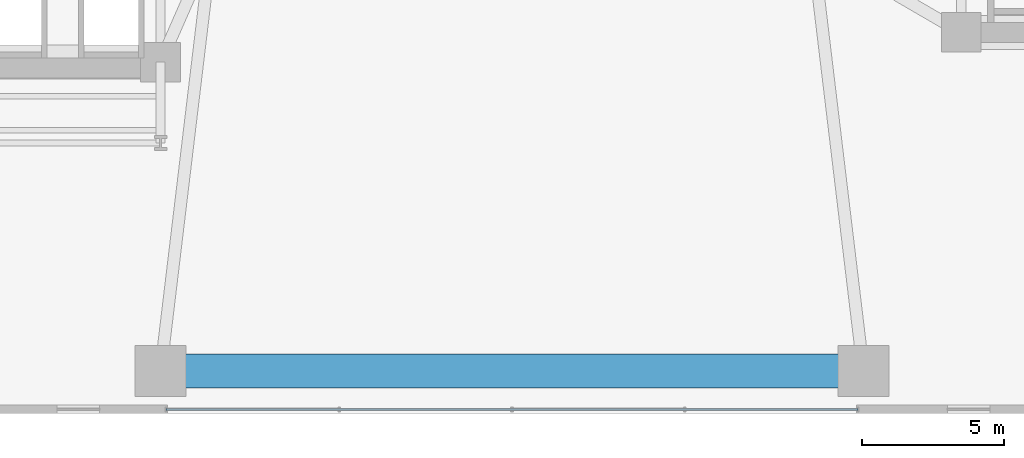
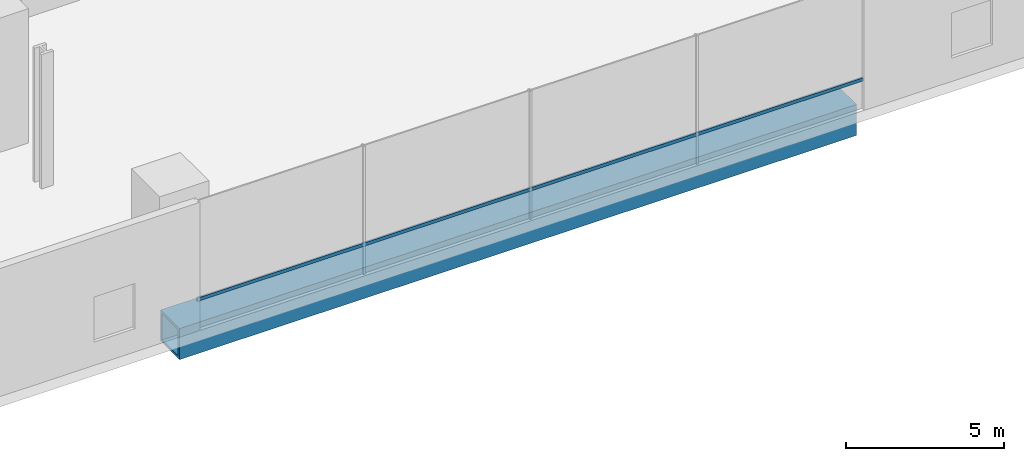
# One storey, part 9 of 41: 1 beam, 1 member, 1 element without a shape of its own.
"""IFC4 building model written with IfcOpenShell, lengths in metres."""

from ifc_helpers import new_model, si_unit, direction, frame, origin, origin_2d, place, context, subcontext, project, spatial, hollow_rectangle, extrude, source, transform, mapped, material, material_profile, profile_set, type_object, element, aggregate, save


model = new_model("IFC4")

# Units and contexts
model_context = context("Model", 3, precision=1e-05, world=origin(), true_north=direction((0.0, 1.0)))
body_context = subcontext(model_context, "Body", "Model", "MODEL_VIEW")
ifc_project = project(units=[si_unit("LENGTHUNIT", "METRE"), si_unit("AREAUNIT", "SQUARE_METRE"), si_unit("VOLUMEUNIT", "CUBIC_METRE"), si_unit("PLANEANGLEUNIT", "RADIAN"), si_unit("MASSUNIT", "GRAM", prefix="KILO")], contexts=[model_context])

# Site, building, storey
site_placement = place(None, origin())
site = spatial("IfcSite", under=ifc_project, at=site_placement, CompositionType="ELEMENT")
building_placement = place(site_placement, origin())
building = spatial("IfcBuilding", under=site, at=building_placement, Name="Valdorenza Pilgrim Sanctuary Tower", CompositionType="ELEMENT")
storey_placement = place(building_placement, frame((0.0, 0.0, 20.800048828125)))
storey = spatial("IfcBuildingStorey", under=building, at=storey_placement, Name="L04", CompositionType="ELEMENT", Elevation=20.800048828125)

# Beam
ifc_material_1 = material(Name="Steel ASTM A572 Grade 42", Category="steel")
ifc_material_profile_1 = material_profile(ifc_material_1, hollow_rectangle(XDim=1.199951171875, YDim=1.199951171875, WallThickness=0.090087890625, at=origin_2d()), Name="BOX 1200x1200x90")
ifc_profile_set_1 = profile_set([ifc_material_profile_1], Name="Steel ASTM A572 Grade 42")
beam_type = type_object("IfcBeamType", Name="STR-BM-TRF-1200", PredefinedType="BEAM", material=ifc_profile_set_1)
shared_shape_1 = source(origin(), body_context, "Body", "SweptSolid", [
    extrude(hollow_rectangle(XDim=1.199951171875, YDim=1.199951171875, WallThickness=0.090087890625, at=origin_2d()), origin(), (0.0, 0.0, 1.0), 24.7998046875),
])
beam_placement = place(storey_placement, frame((-12.39990234375, -21.5, -1.0), z_axis=(1.0, 0.0, 0.0), x_axis=(0.0, 1.0, 0.0)))
element("IfcBeam", 1, at=beam_placement, inside=storey, type_object=beam_type, Name="L04 Arch Crown Spandrel Transfer Girder TRF04-ARCH-S", PredefinedType="BEAM", context=body_context, shape_type="MappedRepresentation", body=[
    mapped(shared_shape_1, transform((0.0, 0.0, 0.0), x_axis=(1.0, 0.0, 0.0), y_axis=(0.0, 1.0, 0.0), z_axis=(0.0, 0.0, 1.0), scale=1.0)),
])

# Curtain wall, member
ifc_material_2 = material(Name="Curtain-wall IGU glazing", Category="glass")
curtain_wall_type = type_object("IfcCurtainWallType", Name="CW-SYS-01", PredefinedType="NOTDEFINED", material=ifc_material_2)
curtain_wall_placement = place(storey_placement, origin())
curtain_wall = element("IfcCurtainWall", 2, at=curtain_wall_placement, inside=storey, type_object=curtain_wall_type, Name="L04 Curtain Wall CW-POD-L04-ARCH-CROWN", PredefinedType="NOTDEFINED")
ifc_material_3 = material(Name="Anodised aluminium AW-6060", Category="aluminium")
ifc_material_profile_2 = material_profile(ifc_material_3, hollow_rectangle(XDim=0.06494140625, YDim=0.1298828125, WallThickness=0.00341796875, at=origin_2d()), Name="ALU-T 130x65x3.5")
ifc_profile_set_2 = profile_set([ifc_material_profile_2], Name="Anodised aluminium AW-6060")
member_type = type_object("IfcMemberType", Name="CW-TRN-01", PredefinedType="USERDEFINED", material=ifc_profile_set_2)
shared_shape_2 = source(origin(), body_context, "Body", "SweptSolid", [
    extrude(hollow_rectangle(XDim=0.06494140625, YDim=0.1298828125, WallThickness=0.00341796875, at=origin_2d()), origin(), (0.0, 0.0, 1.0), 24.39990234375),
])
member_placement = place(storey_placement, frame((-12.199951171875, -22.85009765625, 1.119873046875), z_axis=(1.0, 0.0, 0.0), x_axis=(0.0, 1.0, 0.0)))
member = element("IfcMember", 3, at=member_placement, type_object=member_type, Name="CW-POD-L04-ARCH-CROWN Transom 1", ObjectType="TRANSOM", PredefinedType="USERDEFINED", context=body_context, shape_type="MappedRepresentation", body=[
    mapped(shared_shape_2, transform((0.0, 0.0, 0.0), x_axis=(1.0, 0.0, 0.0), y_axis=(0.0, 1.0, 0.0), z_axis=(0.0, 0.0, 1.0), scale=1.0)),
])
aggregate(curtain_wall, [member])

save(model, "model.ifc")
